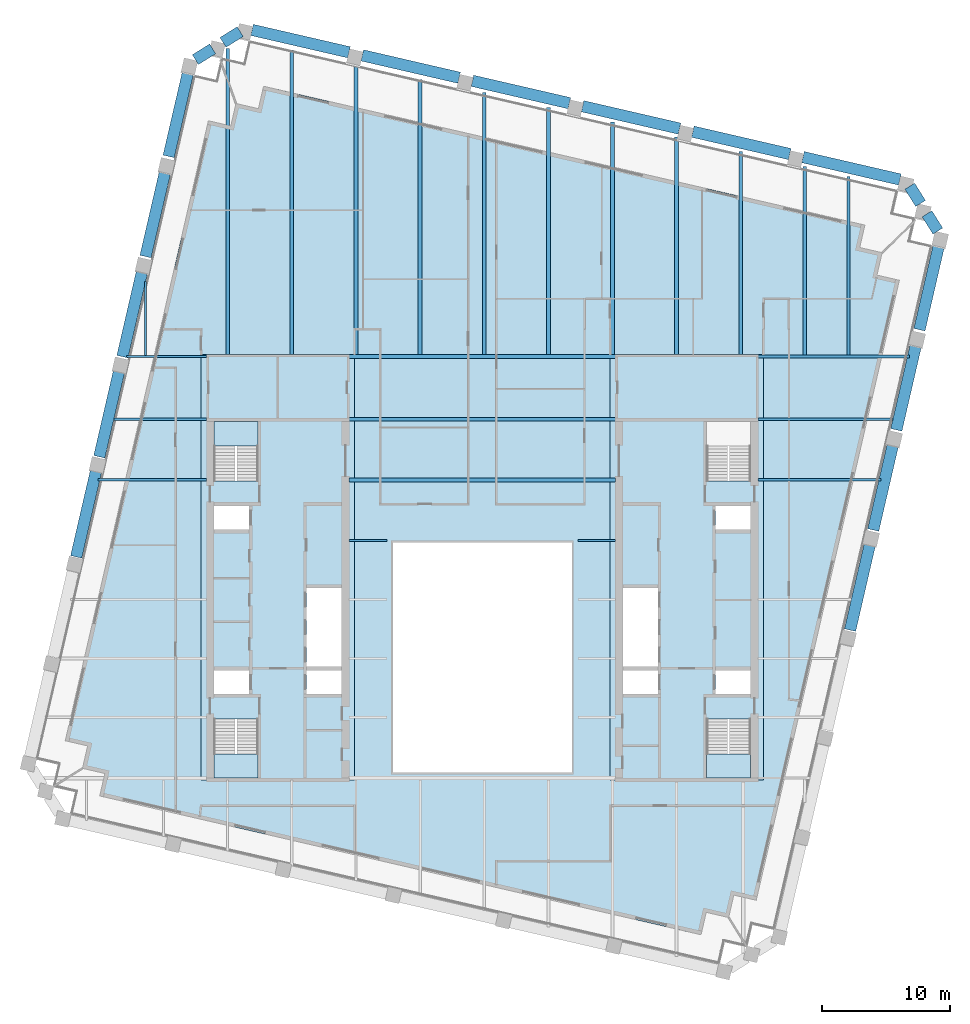
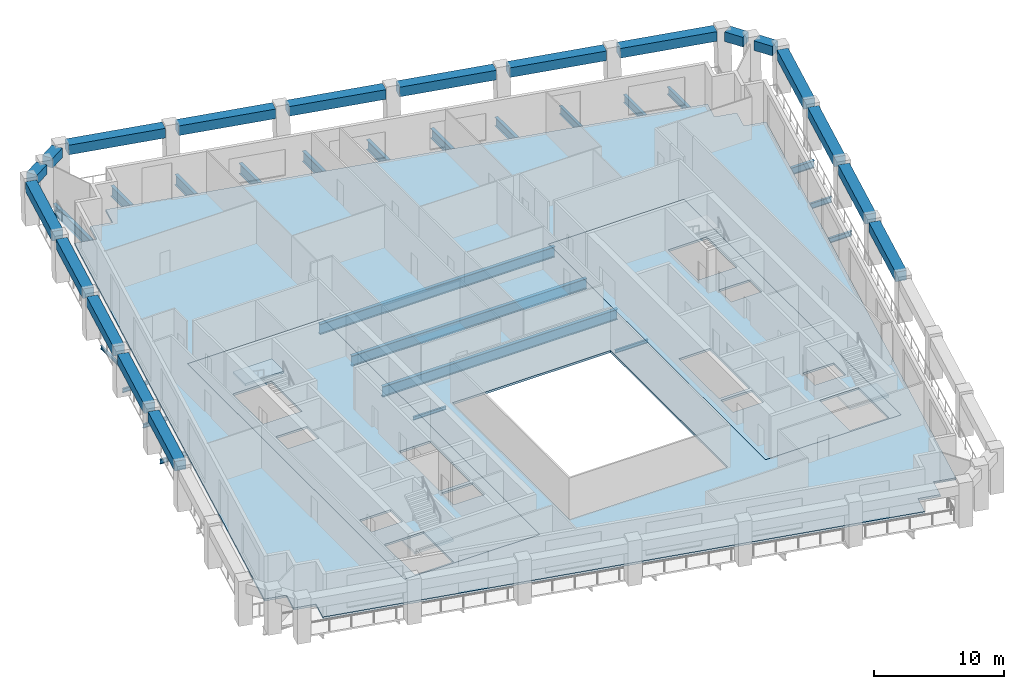
# One storey, part 2 of 10: 42 beams, 6 slabs, 3 elements without a shape of their own.
"""IFC4 building model written with IfcOpenShell, lengths in metres."""

from ifc_helpers import new_model, si_unit, direction, frame, origin, origin_2d, place, context, subcontext, project, spatial, polyline, rectangle, i_section, outline, extrude, material, layer, layer_set, material_profile, profile_set, type_object, element, aggregate, save


model = new_model("IFC4")

# Units and contexts
model_context = context("Model", 3, precision=1e-05, world=origin(), true_north=direction((0.0, 1.0)))
body_context = subcontext(model_context, "Body", "Model", "MODEL_VIEW")
ifc_project = project(units=[si_unit("LENGTHUNIT", "METRE"), si_unit("AREAUNIT", "SQUARE_METRE"), si_unit("VOLUMEUNIT", "CUBIC_METRE"), si_unit("PLANEANGLEUNIT", "RADIAN"), si_unit("MASSUNIT", "GRAM", prefix="KILO")], contexts=[model_context])

# Site, building, storey
site_placement = place(None, origin())
site = spatial("IfcSite", under=ifc_project, at=site_placement, CompositionType="ELEMENT")
building_placement = place(site_placement, origin())
building = spatial("IfcBuilding", under=site, at=building_placement, Name="Ogive Exchange Tower", CompositionType="ELEMENT")
storey_placement = place(building_placement, frame((0.0, 0.0, 251.39990234375)))
storey = spatial("IfcBuildingStorey", under=building, at=storey_placement, Name="L54", CompositionType="ELEMENT", Elevation=251.39990234375)

# Beams
ifc_material_1 = material(Name="Steel ASTM A992 Gr50", Category="steel")
ifc_material_profile_1 = material_profile(ifc_material_1, i_section(OverallWidth=0.300048828125, OverallDepth=0.97998046875, WebThickness=0.0166015625, FlangeThickness=0.026123046875, at=origin_2d()), Name="W1000x249")
ifc_profile_set_1 = profile_set([ifc_material_profile_1], Name="Steel ASTM A992 Gr50")
beam_type_1 = type_object("IfcBeamType", Name="Floor beam W1000x249", PredefinedType="JOIST", material=ifc_profile_set_1)
for number, where, z_axis, x_axis, name in (
    (1, (-10.419921875, 20.89990234375, -0.68994140625), (1.0, 0.0, 0.0), (0.0, 1.0, 0.0), "Floor beam"),
    (2, (-10.419921875, 25.64501953125, -0.68994140625), (1.0, 0.0, 0.0), (0.0, 1.0, 0.0), "Floor beam"),
):
    element("IfcBeam", number, at=place(storey_placement, frame(where, z_axis=z_axis, x_axis=x_axis)), inside=storey, type_object=beam_type_1, Name=name, PredefinedType="JOIST", context=body_context, shape_type="SweptSolid", body=[
        extrude(i_section(OverallWidth=0.300048828125, OverallDepth=0.97998046875, WebThickness=0.0166015625, FlangeThickness=0.026123046875, at=origin_2d()), origin(), (0.0, 0.0, 1.0), 20.83984375),
    ])
beam_1_placement = place(storey_placement, frame((-19.9248046875, 30.699951171875, -0.68994140625), z_axis=(0.0, 1.0, 0.0), x_axis=(-1.0, 0.0, 0.0)))
element("IfcBeam", 3, at=beam_1_placement, inside=storey, type_object=beam_type_1, Name="Floor beam", PredefinedType="JOIST", context=body_context, shape_type="SweptSolid", body=[
    extrude(i_section(OverallWidth=0.300048828125, OverallDepth=0.97998046875, WebThickness=0.0166015625, FlangeThickness=0.026123046875, at=origin_2d()), origin(), (0.0, 0.0, 1.0), 23.962646484375),
])
beam_2_placement = place(storey_placement, frame((-14.90673828125, 30.699951171875, -0.68994140625), z_axis=(0.0, 1.0, 0.0), x_axis=(-1.0, 0.0, 0.0)))
element("IfcBeam", 4, at=beam_2_placement, inside=storey, type_object=beam_type_1, Name="Floor beam", PredefinedType="JOIST", context=body_context, shape_type="SweptSolid", body=[
    extrude(i_section(OverallWidth=0.300048828125, OverallDepth=0.97998046875, WebThickness=0.0166015625, FlangeThickness=0.026123046875, at=origin_2d()), origin(), (0.0, 0.0, 1.0), 23.8359375),
])
beam_3_placement = place(storey_placement, frame((-9.888916015625, 30.695068359375, -0.68994140625), z_axis=(0.0, 1.0, 0.0), x_axis=(-1.0, 0.0, 0.0)))
element("IfcBeam", 5, at=beam_3_placement, inside=storey, type_object=beam_type_1, Name="Floor beam", PredefinedType="JOIST", context=body_context, shape_type="SweptSolid", body=[
    extrude(i_section(OverallWidth=0.300048828125, OverallDepth=0.97998046875, WebThickness=0.0166015625, FlangeThickness=0.026123046875, at=origin_2d()), origin(), (0.0, 0.0, 1.0), 22.682373046875),
])
beam_4_placement = place(storey_placement, frame((-4.870849609375, 30.695068359375, -0.68994140625), z_axis=(0.0, 1.0, 0.0), x_axis=(-1.0, 0.0, 0.0)))
element("IfcBeam", 6, at=beam_4_placement, inside=storey, type_object=beam_type_1, Name="Floor beam", PredefinedType="JOIST", context=body_context, shape_type="SweptSolid", body=[
    extrude(i_section(OverallWidth=0.300048828125, OverallDepth=0.97998046875, WebThickness=0.0166015625, FlangeThickness=0.026123046875, at=origin_2d()), origin(), (0.0, 0.0, 1.0), 21.52392578125),
])
beam_5_placement = place(storey_placement, frame((0.147216796875, 30.695068359375, -0.68994140625), z_axis=(0.0, 1.0, 0.0), x_axis=(-1.0, 0.0, 0.0)))
element("IfcBeam", 7, at=beam_5_placement, inside=storey, type_object=beam_type_1, Name="Floor beam", PredefinedType="JOIST", context=body_context, shape_type="SweptSolid", body=[
    extrude(i_section(OverallWidth=0.300048828125, OverallDepth=0.97998046875, WebThickness=0.0166015625, FlangeThickness=0.026123046875, at=origin_2d()), origin(), (0.0, 0.0, 1.0), 20.515380859375),
])
ifc_material_profile_2 = material_profile(ifc_material_1, i_section(OverallWidth=0.1650390625, OverallDepth=0.31005859375, WebThickness=0.005859375, FlangeThickness=0.009765625, at=origin_2d()), Name="W310x38.7")
ifc_profile_set_2 = profile_set([ifc_material_profile_2], Name="Steel ASTM A992 Gr50")
beam_type_2 = type_object("IfcBeamType", Name="Floor beam W310x38.7", PredefinedType="JOIST", material=ifc_profile_set_2)
beam_6_placement = place(storey_placement, frame((-26.3427734375, 30.630615234375, -0.35498046875), z_axis=(0.0, 1.0, 0.0), x_axis=(-1.0, 0.0, 0.0)))
element("IfcBeam", 8, at=beam_6_placement, inside=storey, type_object=beam_type_2, Name="Floor beam", PredefinedType="JOIST", context=body_context, shape_type="SweptSolid", body=[
    extrude(i_section(OverallWidth=0.1650390625, OverallDepth=0.31005859375, WebThickness=0.005859375, FlangeThickness=0.009765625, at=origin_2d()), origin(), (0.0, 0.0, 1.0), 5.79541015625),
])
ifc_material_profile_3 = material_profile(ifc_material_1, i_section(OverallWidth=0.1708984375, OverallDepth=0.35595703125, WebThickness=0.00732421875, FlangeThickness=0.01171875, at=origin_2d()), Name="W360x51")
ifc_profile_set_3 = profile_set([ifc_material_profile_3], Name="Steel ASTM A992 Gr50")
beam_type_3 = type_object("IfcBeamType", Name="Floor beam W360x51", PredefinedType="JOIST", material=ifc_profile_set_3)
beam_7_placement = place(storey_placement, frame((-28.831787109375, 25.64501953125, -0.3779296875), z_axis=(1.0, 0.0, 0.0), x_axis=(0.0, 1.0, 0.0)))
element("IfcBeam", 9, at=beam_7_placement, inside=storey, type_object=beam_type_3, Name="Floor beam", PredefinedType="JOIST", context=body_context, shape_type="SweptSolid", body=[
    extrude(i_section(OverallWidth=0.1708984375, OverallDepth=0.35595703125, WebThickness=0.00732421875, FlangeThickness=0.01171875, at=origin_2d()), origin(), (0.0, 0.0, 1.0), 7.251708984375),
])
ifc_material_profile_4 = material_profile(ifc_material_1, i_section(OverallWidth=0.177978515625, OverallDepth=0.406005859375, WebThickness=0.0078125, FlangeThickness=0.0126953125, at=origin_2d()), Name="W410x60")
ifc_profile_set_4 = profile_set([ifc_material_profile_4], Name="Steel ASTM A992 Gr50")
beam_type_4 = type_object("IfcBeamType", Name="Floor beam W410x60", PredefinedType="JOIST", material=ifc_profile_set_4)
beam_8_placement = place(storey_placement, frame((-30.0771484375, 20.89990234375, -0.40283203125), z_axis=(1.0, 0.0, 0.0), x_axis=(0.0, 1.0, 0.0)))
element("IfcBeam", 10, at=beam_8_placement, inside=storey, type_object=beam_type_4, Name="Floor beam", PredefinedType="JOIST", context=body_context, shape_type="SweptSolid", body=[
    extrude(i_section(OverallWidth=0.177978515625, OverallDepth=0.406005859375, WebThickness=0.0078125, FlangeThickness=0.0126953125, at=origin_2d()), origin(), (0.0, 0.0, 1.0), 8.4970703125),
])
ifc_material_profile_5 = material_profile(ifc_material_1, i_section(OverallWidth=0.19189453125, OverallDepth=0.4619140625, WebThickness=0.010498046875, FlangeThickness=0.017578125, at=origin_2d()), Name="W460x89")
ifc_profile_set_5 = profile_set([ifc_material_profile_5], Name="Steel ASTM A992 Gr50")
beam_type_5 = type_object("IfcBeamType", Name="Floor beam W460x89", PredefinedType="JOIST", material=ifc_profile_set_5)
beam_9_placement = place(storey_placement, frame((21.580078125, 20.89990234375, -0.430908203125), z_axis=(1.0, 0.0, 0.0), x_axis=(0.0, 1.0, 0.0)))
element("IfcBeam", 11, at=beam_9_placement, inside=storey, type_object=beam_type_5, Name="Floor beam", PredefinedType="JOIST", context=body_context, shape_type="SweptSolid", body=[
    extrude(i_section(OverallWidth=0.19189453125, OverallDepth=0.4619140625, WebThickness=0.010498046875, FlangeThickness=0.017578125, at=origin_2d()), origin(), (0.0, 0.0, 1.0), 9.605224609375),
])
ifc_material_profile_6 = material_profile(ifc_material_1, i_section(OverallWidth=0.1669921875, OverallDepth=0.535888671875, WebThickness=0.01025390625, FlangeThickness=0.0166015625, at=origin_2d()), Name="W530x85")
ifc_profile_set_6 = profile_set([ifc_material_profile_6], Name="Steel ASTM A992 Gr50")
beam_type_6 = type_object("IfcBeamType", Name="Floor beam W530x85", PredefinedType="JOIST", material=ifc_profile_set_6)
beam_10_placement = place(storey_placement, frame((21.580078125, 25.64501953125, -0.468017578125), z_axis=(1.0, 0.0, 0.0), x_axis=(0.0, 1.0, 0.0)))
element("IfcBeam", 12, at=beam_10_placement, inside=storey, type_object=beam_type_6, Name="Floor beam", PredefinedType="JOIST", context=body_context, shape_type="SweptSolid", body=[
    extrude(i_section(OverallWidth=0.1669921875, OverallDepth=0.535888671875, WebThickness=0.01025390625, FlangeThickness=0.0166015625, at=origin_2d()), origin(), (0.0, 0.0, 1.0), 10.55078125),
])
ifc_material_profile_7 = material_profile(ifc_material_1, i_section(OverallWidth=0.25390625, OverallDepth=0.677978515625, WebThickness=0.01171875, FlangeThickness=0.016357421875, at=origin_2d()), Name="W690x125")
ifc_profile_set_7 = profile_set([ifc_material_profile_7], Name="Steel ASTM A992 Gr50")
beam_type_7 = type_object("IfcBeamType", Name="Floor beam W690x125", PredefinedType="JOIST", material=ifc_profile_set_7)
beam_11_placement = place(storey_placement, frame((28.6552734375, 30.672119140625, -0.538818359375), z_axis=(0.0, 1.0, 0.0), x_axis=(-1.0, 0.0, 0.0)))
element("IfcBeam", 13, at=beam_11_placement, inside=storey, type_object=beam_type_7, Name="Floor beam", PredefinedType="JOIST", context=body_context, shape_type="SweptSolid", body=[
    extrude(i_section(OverallWidth=0.25390625, OverallDepth=0.677978515625, WebThickness=0.01171875, FlangeThickness=0.016357421875, at=origin_2d()), origin(), (0.0, 0.0, 1.0), 13.956787109375),
])
ifc_material_profile_8 = material_profile(ifc_material_1, i_section(OverallWidth=0.26708984375, OverallDepth=0.75390625, WebThickness=0.01318359375, FlangeThickness=0.01708984375, at=origin_2d()), Name="W760x147")
ifc_profile_set_8 = profile_set([ifc_material_profile_8], Name="Steel ASTM A992 Gr50")
beam_type_8 = type_object("IfcBeamType", Name="Floor beam W760x147", PredefinedType="JOIST", material=ifc_profile_set_8)
beam_12_placement = place(storey_placement, frame((25.2373046875, 30.672119140625, -0.576904296875), z_axis=(0.0, 1.0, 0.0), x_axis=(-1.0, 0.0, 0.0)))
element("IfcBeam", 14, at=beam_12_placement, inside=storey, type_object=beam_type_8, Name="Floor beam", PredefinedType="JOIST", context=body_context, shape_type="SweptSolid", body=[
    extrude(i_section(OverallWidth=0.26708984375, OverallDepth=0.75390625, WebThickness=0.01318359375, FlangeThickness=0.01708984375, at=origin_2d()), origin(), (0.0, 0.0, 1.0), 14.745849609375),
])
ifc_material_profile_9 = material_profile(ifc_material_1, i_section(OverallWidth=0.26708984375, OverallDepth=0.761962890625, WebThickness=0.014404296875, FlangeThickness=0.021484375, at=origin_2d()), Name="W760x173")
ifc_profile_set_9 = profile_set([ifc_material_profile_9], Name="Steel ASTM A992 Gr50")
beam_type_9 = type_object("IfcBeamType", Name="Floor beam W760x173", PredefinedType="JOIST", material=ifc_profile_set_9)
beam_13_placement = place(storey_placement, frame((20.21923828125, 30.699951171875, -0.580810546875), z_axis=(0.0, 1.0, 0.0), x_axis=(-1.0, 0.0, 0.0)))
element("IfcBeam", 15, at=beam_13_placement, inside=storey, type_object=beam_type_9, Name="Floor beam", PredefinedType="JOIST", context=body_context, shape_type="SweptSolid", body=[
    extrude(i_section(OverallWidth=0.26708984375, OverallDepth=0.761962890625, WebThickness=0.014404296875, FlangeThickness=0.021484375, at=origin_2d()), origin(), (0.0, 0.0, 1.0), 15.87646484375),
])
ifc_material_profile_10 = material_profile(ifc_material_1, i_section(OverallWidth=0.2919921875, OverallDepth=0.8359375, WebThickness=0.013916015625, FlangeThickness=0.018798828125, at=origin_2d()), Name="W840x176")
ifc_profile_set_10 = profile_set([ifc_material_profile_10], Name="Steel ASTM A992 Gr50")
beam_type_10 = type_object("IfcBeamType", Name="Floor beam W840x176", PredefinedType="JOIST", material=ifc_profile_set_10)
beam_14_placement = place(storey_placement, frame((15.201171875, 30.699951171875, -0.617919921875), z_axis=(0.0, 1.0, 0.0), x_axis=(-1.0, 0.0, 0.0)))
element("IfcBeam", 16, at=beam_14_placement, inside=storey, type_object=beam_type_10, Name="Floor beam", PredefinedType="JOIST", context=body_context, shape_type="SweptSolid", body=[
    extrude(i_section(OverallWidth=0.2919921875, OverallDepth=0.8359375, WebThickness=0.013916015625, FlangeThickness=0.018798828125, at=origin_2d()), origin(), (0.0, 0.0, 1.0), 17.03515625),
])
ifc_material_profile_11 = material_profile(ifc_material_1, i_section(OverallWidth=0.304931640625, OverallDepth=0.904052734375, WebThickness=0.01513671875, FlangeThickness=0.02001953125, at=origin_2d()), Name="W920x201")
ifc_profile_set_11 = profile_set([ifc_material_profile_11], Name="Steel ASTM A992 Gr50")
beam_type_11 = type_object("IfcBeamType", Name="Floor beam W920x201", PredefinedType="JOIST", material=ifc_profile_set_11)
beam_15_placement = place(storey_placement, frame((10.18310546875, 30.695068359375, -0.65185546875), z_axis=(0.0, 1.0, 0.0), x_axis=(-1.0, 0.0, 0.0)))
element("IfcBeam", 17, at=beam_15_placement, inside=storey, type_object=beam_type_11, Name="Floor beam", PredefinedType="JOIST", context=body_context, shape_type="SweptSolid", body=[
    extrude(i_section(OverallWidth=0.304931640625, OverallDepth=0.904052734375, WebThickness=0.01513671875, FlangeThickness=0.02001953125, at=origin_2d()), origin(), (0.0, 0.0, 1.0), 18.198486328125),
])
ifc_material_profile_12 = material_profile(ifc_material_1, i_section(OverallWidth=0.306884765625, OverallDepth=0.927001953125, WebThickness=0.019287109375, FlangeThickness=0.031982421875, at=origin_2d()), Name="W920x289")
ifc_profile_set_12 = profile_set([ifc_material_profile_12], Name="Steel ASTM A992 Gr50")
beam_type_12 = type_object("IfcBeamType", Name="Floor beam W920x289", PredefinedType="JOIST", material=ifc_profile_set_12)
beam_16_placement = place(storey_placement, frame((5.165283203125, 30.695068359375, -0.663330078125), z_axis=(0.0, 1.0, 0.0), x_axis=(-1.0, 0.0, 0.0)))
element("IfcBeam", 18, at=beam_16_placement, inside=storey, type_object=beam_type_12, Name="Floor beam", PredefinedType="JOIST", context=body_context, shape_type="SweptSolid", body=[
    extrude(i_section(OverallWidth=0.306884765625, OverallDepth=0.927001953125, WebThickness=0.019287109375, FlangeThickness=0.031982421875, at=origin_2d()), origin(), (0.0, 0.0, 1.0), 19.35693359375),
])
ifc_material_profile_13 = material_profile(ifc_material_1, i_section(OverallWidth=0.300048828125, OverallDepth=0.97998046875, WebThickness=0.0166015625, FlangeThickness=0.026123046875, at=origin_2d()), Name="W1000x249")
ifc_profile_set_13 = profile_set([ifc_material_profile_13], Name="Steel ASTM A992 Gr50")
beam_type_13 = type_object("IfcBeamType", Name="Girder W1000x249", PredefinedType="BEAM", material=ifc_profile_set_13)
beam_17_placement = place(storey_placement, frame((-10.419921875, 30.544921875, -0.68994140625), z_axis=(1.0, 0.0, 0.0), x_axis=(0.0, 1.0, 0.0)))
element("IfcBeam", 19, at=beam_17_placement, inside=storey, type_object=beam_type_13, Name="Header girder", PredefinedType="BEAM", context=body_context, shape_type="SweptSolid", body=[
    extrude(i_section(OverallWidth=0.300048828125, OverallDepth=0.97998046875, WebThickness=0.0166015625, FlangeThickness=0.026123046875, at=origin_2d()), origin(), (0.0, 0.0, 1.0), 20.83984375),
])
ifc_material_profile_14 = material_profile(ifc_material_1, i_section(OverallWidth=0.1650390625, OverallDepth=0.31005859375, WebThickness=0.005859375, FlangeThickness=0.009765625, at=origin_2d()), Name="W310x38.7")
ifc_profile_set_14 = profile_set([ifc_material_profile_14], Name="Steel ASTM A992 Gr50")
beam_type_14 = type_object("IfcBeamType", Name="Girder W310x38.7", PredefinedType="BEAM", material=ifc_profile_set_14)
for number, where, z_axis, x_axis, name in (
    (20, (-10.419921875, 16.155029296875, -0.35498046875), (1.0, 0.0, 0.0), (0.0, 1.0, 0.0), "Trimmer girder"),
    (21, (7.469970703125, 16.155029296875, -0.35498046875), (1.0, 0.0, 0.0), (0.0, 1.0, 0.0), "Trimmer girder"),
):
    element("IfcBeam", number, at=place(storey_placement, frame(where, z_axis=z_axis, x_axis=x_axis)), inside=storey, type_object=beam_type_14, Name=name, PredefinedType="BEAM", context=body_context, shape_type="SweptSolid", body=[
        extrude(i_section(OverallWidth=0.1650390625, OverallDepth=0.31005859375, WebThickness=0.005859375, FlangeThickness=0.009765625, at=origin_2d()), origin(), (0.0, 0.0, 1.0), 2.949951171875),
    ])
ifc_material_profile_15 = material_profile(ifc_material_1, i_section(OverallWidth=0.1708984375, OverallDepth=0.35595703125, WebThickness=0.00732421875, FlangeThickness=0.01171875, at=origin_2d()), Name="W360x51")
ifc_profile_set_15 = profile_set([ifc_material_profile_15], Name="Steel ASTM A992 Gr50")
beam_type_15 = type_object("IfcBeamType", Name="Girder W360x51", PredefinedType="BEAM", material=ifc_profile_set_15)
beam_18_placement = place(storey_placement, frame((-27.850341796875, 30.544921875, -0.3779296875), z_axis=(1.0, 0.0, 0.0), x_axis=(0.0, 1.0, 0.0)))
element("IfcBeam", 22, at=beam_18_placement, inside=storey, type_object=beam_type_15, Name="Header girder", PredefinedType="BEAM", context=body_context, shape_type="SweptSolid", body=[
    extrude(i_section(OverallWidth=0.1708984375, OverallDepth=0.35595703125, WebThickness=0.00732421875, FlangeThickness=0.01171875, at=origin_2d()), origin(), (0.0, 0.0, 1.0), 6.270263671875),
])
ifc_material_profile_16 = material_profile(ifc_material_1, i_section(OverallWidth=0.25390625, OverallDepth=0.677978515625, WebThickness=0.01171875, FlangeThickness=0.016357421875, at=origin_2d()), Name="W690x125")
ifc_profile_set_16 = profile_set([ifc_material_profile_16], Name="Steel ASTM A992 Gr50")
beam_type_16 = type_object("IfcBeamType", Name="Girder W690x125", PredefinedType="BEAM", material=ifc_profile_set_16)
beam_19_placement = place(storey_placement, frame((21.580078125, 30.544921875, -0.538818359375), z_axis=(1.0, 0.0, 0.0), x_axis=(0.0, 1.0, 0.0)))
element("IfcBeam", 23, at=beam_19_placement, inside=storey, type_object=beam_type_16, Name="Header girder", PredefinedType="BEAM", context=body_context, shape_type="SweptSolid", body=[
    extrude(i_section(OverallWidth=0.25390625, OverallDepth=0.677978515625, WebThickness=0.01171875, FlangeThickness=0.016357421875, at=origin_2d()), origin(), (0.0, 0.0, 1.0), 11.83203125),
])
ifc_material_2 = material(Name="Precast concrete C70/85 (limestone faced)", Category="masonry")
ifc_material_profile_17 = material_profile(ifc_material_2, rectangle(XDim=0.89990234375, YDim=0.89990234375, at=origin_2d()), Name="900 x 900")
ifc_profile_set_17 = profile_set([ifc_material_profile_17], Name="Precast concrete C70/85 (limestone faced)")
beam_type_17 = type_object("IfcBeamType", Name="Precast spandrel 900 x 900 C70/85", PredefinedType="SPANDREL", material=ifc_profile_set_17)
for number, where, z_axis, x_axis, name in (
    (24, (28.7822265625, 9.14013671875, 3.5), (0.224953999861, 0.974369384754, 0.0), (-0.974369384754, 0.224953999861, 0.0), "Spandrel 12"),
    (25, (30.591064453125, 16.9755859375, 3.5), (0.224953999861, 0.974369384754, 0.0), (-0.974369384754, 0.224953999861, 0.0), "Spandrel 13"),
    (26, (32.400146484375, 24.81103515625, 3.5), (0.224953999861, 0.974369384754, 0.0), (-0.974369384754, 0.224953999861, 0.0), "Spandrel 14"),
    (27, (34.208984375, 32.646484375, 3.5), (0.224953999861, 0.974369384754, 0.0), (-0.974369384754, 0.224953999861, 0.0), "Spandrel 15"),
):
    element("IfcBeam", number, at=place(storey_placement, frame(where, z_axis=z_axis, x_axis=x_axis)), inside=storey, type_object=beam_type_17, Name=name, PredefinedType="SPANDREL", context=body_context, shape_type="SweptSolid", body=[
        extrude(rectangle(XDim=0.89990234375, YDim=0.89990234375, at=origin_2d()), origin(), (0.0, 0.0, 1.0), 6.981689453125),
    ])
for number, where, z_axis, x_axis, name in (
    (28, (35.6455078125, 40.370849609375, 3.5), (-0.529902320601, 0.848058683477, 0.0), (-0.848058683477, -0.529902320601, 0.0), "Spandrel 16"),
    (29, (34.296630859375, 42.529541015625, 3.5), (-0.529902320601, 0.848058683477, 0.0), (-0.848058683477, -0.529902320601, 0.0), "Spandrel 17"),
):
    element("IfcBeam", number, at=place(storey_placement, frame(where, z_axis=z_axis, x_axis=x_axis)), inside=storey, type_object=beam_type_17, Name=name, PredefinedType="SPANDREL", context=body_context, shape_type="SweptSolid", body=[
        extrude(rectangle(XDim=0.89990234375, YDim=0.89990234375, at=origin_2d()), origin(), (0.0, 0.0, 1.0), 1.590087890625),
    ])
beam_20_placement = place(storey_placement, frame((32.6845703125, 44.40234375, 3.5), z_axis=(-0.974369535382, 0.224953347431, 0.0), x_axis=(-0.224953347431, -0.974369535382, 0.0)))
element("IfcBeam", 30, at=beam_20_placement, inside=storey, type_object=beam_type_17, Name="Spandrel 18", PredefinedType="SPANDREL", context=body_context, shape_type="SweptSolid", body=[
    extrude(rectangle(XDim=0.89990234375, YDim=0.89990234375, at=origin_2d()), origin(), (0.0, 0.0, 1.0), 7.790283203125),
])
beam_21_placement = place(storey_placement, frame((24.061279296875, 46.393310546875, 3.5), z_axis=(-0.974374818602, 0.224930462307, 0.0), x_axis=(-0.224930462307, -0.974374818602, 0.0)))
element("IfcBeam", 31, at=beam_21_placement, inside=storey, type_object=beam_type_17, Name="Spandrel 19", PredefinedType="SPANDREL", context=body_context, shape_type="SweptSolid", body=[
    extrude(rectangle(XDim=0.89990234375, YDim=0.89990234375, at=origin_2d()), origin(), (0.0, 0.0, 1.0), 7.7900390625),
])
beam_22_placement = place(storey_placement, frame((15.43798828125, 48.384033203125, 3.5), z_axis=(-0.974366363305, 0.224967086616, 0.0), x_axis=(-0.224967086616, -0.974366363305, 0.0)))
element("IfcBeam", 32, at=beam_22_placement, inside=storey, type_object=beam_type_17, Name="Spandrel 20", PredefinedType="SPANDREL", context=body_context, shape_type="SweptSolid", body=[
    extrude(rectangle(XDim=0.89990234375, YDim=0.89990234375, at=origin_2d()), origin(), (0.0, 0.0, 1.0), 7.789794921875),
])
beam_23_placement = place(storey_placement, frame((6.81494140625, 50.374755859375, 3.5), z_axis=(-0.974367949416, 0.224960216819, 0.0), x_axis=(-0.224960216819, -0.974367949416, 0.0)))
element("IfcBeam", 33, at=beam_23_placement, inside=storey, type_object=beam_type_17, Name="Spandrel 21", PredefinedType="SPANDREL", context=body_context, shape_type="SweptSolid", body=[
    extrude(rectangle(XDim=0.89990234375, YDim=0.89990234375, at=origin_2d()), origin(), (0.0, 0.0, 1.0), 7.7900390625),
])
beam_24_placement = place(storey_placement, frame((-1.80810546875, 52.365478515625, 3.5), z_axis=(-0.974369535382, 0.224953347431, 0.0), x_axis=(-0.224953347431, -0.974369535382, 0.0)))
element("IfcBeam", 34, at=beam_24_placement, inside=storey, type_object=beam_type_17, Name="Spandrel 22", PredefinedType="SPANDREL", context=body_context, shape_type="SweptSolid", body=[
    extrude(rectangle(XDim=0.89990234375, YDim=0.89990234375, at=origin_2d()), origin(), (0.0, 0.0, 1.0), 7.790283203125),
])
beam_25_placement = place(storey_placement, frame((-10.431396484375, 54.3564453125, 3.5), z_axis=(-0.974367949416, 0.224960216819, 0.0), x_axis=(-0.224960216819, -0.974367949416, 0.0)))
element("IfcBeam", 35, at=beam_25_placement, inside=storey, type_object=beam_type_17, Name="Spandrel 23", PredefinedType="SPANDREL", context=body_context, shape_type="SweptSolid", body=[
    extrude(rectangle(XDim=0.89990234375, YDim=0.89990234375, at=origin_2d()), origin(), (0.0, 0.0, 1.0), 7.7900390625),
])
beam_26_placement = place(storey_placement, frame((-18.943359375, 55.974853515625, 3.5), z_axis=(-0.848058683477, -0.529902320601, 0.0), x_axis=(0.529902320601, -0.848058683477, 0.0)))
element("IfcBeam", 36, at=beam_26_placement, inside=storey, type_object=beam_type_17, Name="Spandrel 24", PredefinedType="SPANDREL", context=body_context, shape_type="SweptSolid", body=[
    extrude(rectangle(XDim=0.89990234375, YDim=0.89990234375, at=origin_2d()), origin(), (0.0, 0.0, 1.0), 1.590087890625),
])
beam_27_placement = place(storey_placement, frame((-21.102294921875, 54.6259765625, 3.5), z_axis=(-0.848015558653, -0.529971331567, 0.0), x_axis=(0.529971331567, -0.848015558653, 0.0)))
element("IfcBeam", 37, at=beam_27_placement, inside=storey, type_object=beam_type_17, Name="Spandrel 25", PredefinedType="SPANDREL", context=body_context, shape_type="SweptSolid", body=[
    extrude(rectangle(XDim=0.89990234375, YDim=0.89990234375, at=origin_2d()), origin(), (0.0, 0.0, 1.0), 1.58984375),
])
for number, where, z_axis, x_axis, name in (
    (38, (-22.974853515625, 53.013671875, 3.5), (-0.224961664857, -0.974367615094, 0.0), (0.974367615094, -0.224961664857, 0.0), "Spandrel 26"),
    (39, (-24.783935546875, 45.17822265625, 3.5), (-0.224961664857, -0.974367615094, 0.0), (0.974367615094, -0.224961664857, 0.0), "Spandrel 27"),
    (40, (-26.593017578125, 37.3427734375, 3.5), (-0.224928464269, -0.974375279839, 0.0), (0.974375279839, -0.224928464269, 0.0), "Spandrel 28"),
):
    element("IfcBeam", number, at=place(storey_placement, frame(where, z_axis=z_axis, x_axis=x_axis)), inside=storey, type_object=beam_type_17, Name=name, PredefinedType="SPANDREL", context=body_context, shape_type="SweptSolid", body=[
        extrude(rectangle(XDim=0.89990234375, YDim=0.89990234375, at=origin_2d()), origin(), (0.0, 0.0, 1.0), 6.9814453125),
    ])
beam_28_placement = place(storey_placement, frame((-28.40185546875, 29.50732421875, 3.5), z_axis=(-0.224953999861, -0.974369384754, 0.0), x_axis=(0.974369384754, -0.224953999861, 0.0)))
element("IfcBeam", 41, at=beam_28_placement, inside=storey, type_object=beam_type_17, Name="Spandrel 29", PredefinedType="SPANDREL", context=body_context, shape_type="SweptSolid", body=[
    extrude(rectangle(XDim=0.89990234375, YDim=0.89990234375, at=origin_2d()), origin(), (0.0, 0.0, 1.0), 6.981689453125),
])
beam_29_placement = place(storey_placement, frame((-30.210693359375, 21.671875, 3.5), z_axis=(-0.224961664857, -0.974367615094, 0.0), x_axis=(0.974367615094, -0.224961664857, 0.0)))
element("IfcBeam", 42, at=beam_29_placement, inside=storey, type_object=beam_type_17, Name="Spandrel 30", PredefinedType="SPANDREL", context=body_context, shape_type="SweptSolid", body=[
    extrude(rectangle(XDim=0.89990234375, YDim=0.89990234375, at=origin_2d()), origin(), (0.0, 0.0, 1.0), 6.9814453125),
])

# Slabs
ifc_material_3 = material(Name="Concrete C50/60", Category="concrete")
ifc_layer_1 = layer(ifc_material_3, 0.199951171875)
ifc_layer_set_1 = layer_set([ifc_layer_1], Name="Composite floor slab 200")
slab_type_1 = type_object("IfcSlabType", Name="Composite floor slab 200", PredefinedType="FLOOR", material=ifc_layer_set_1)
slab_1_placement = place(storey_placement, frame((0.0, 0.0, -0.199951171875)))
element("IfcSlab", 43, at=slab_1_placement, inside=storey, type_object=slab_type_1, Name="Composite floor slab", PredefinedType="FLOOR", context=body_context, shape_type="SweptSolid", body=[
    extrude(outline(polyline([(-29.537109375, -2.0830078125), (-31.291015625, -1.67822265625), (-30.88623046875, 0.07568359375), (-32.64013671875, 0.480712890625), (-21.4375, 49.004150390625), (-19.68359375, 48.599365234375), (-19.27880859375, 50.353271484375), (-17.52490234375, 49.9482421875), (-17.119873046875, 51.7021484375), (29.942138671875, 40.8369140625), (29.537109375, 39.0830078125), (31.291015625, 38.67822265625), (30.88623046875, 36.92431640625), (32.64013671875, 36.519287109375), (21.4375, -12.004150390625), (19.68359375, -11.599365234375), (19.27880859375, -13.353271484375), (17.52490234375, -12.9482421875), (17.119873046875, -14.7021484375), (-29.942138671875, -3.8369140625), (-29.537109375, -2.0830078125)]), holes=[polyline([(7.0, -2.0), (7.0, 16.0), (-7.0, 16.0), (-7.0, -2.0), (7.0, -2.0)]), polyline([(-22.0, -2.60009765625), (-10.0, -2.60009765625), (-10.0, 30.699951171875), (-22.0, 30.699951171875), (-22.0, -2.60009765625)]), polyline([(10.0, -2.60009765625), (22.0, -2.60009765625), (22.0, 30.699951171875), (10.0, 30.699951171875), (10.0, -2.60009765625)])]), origin(), (0.0, 0.0, 1.0), 0.199951171875),
])
ifc_material_4 = material(Name="Concrete C70/85", Category="concrete")
ifc_layer_2 = layer(ifc_material_4, 0.199951171875)
ifc_layer_set_2 = layer_set([ifc_layer_2], Name="Core floor slab 200")
slab_type_2 = type_object("IfcSlabType", Name="Core floor slab 200", PredefinedType="FLOOR", material=ifc_layer_set_2)
slab_2_placement = place(storey_placement, frame((0.0, 0.0, -0.199951171875)))
element("IfcSlab", 44, at=slab_2_placement, inside=storey, type_object=slab_type_2, Name="Core floor slab", PredefinedType="FLOOR", context=body_context, shape_type="SweptSolid", body=[
    extrude(outline(polyline([(-22.0, -2.60009765625), (-22.0, 30.699951171875), (-10.0, 30.699951171875), (-10.0, -2.60009765625), (-22.0, -2.60009765625)]), holes=[polyline([(-17.550048828125, 2.196044921875), (-21.0, 2.196044921875), (-21.0, -2.449951171875), (-17.550048828125, -2.449951171875), (-17.550048828125, 2.196044921875)]), polyline([(-18.25, 5.992919921875), (-21.0, 5.992919921875), (-21.0, 4.14990234375), (-18.25, 4.14990234375), (-18.25, 5.992919921875)]), polyline([(-11.0, 5.992919921875), (-13.75, 5.992919921875), (-13.75, 4.14990234375), (-11.0, 4.14990234375), (-11.0, 5.992919921875)]), polyline([(-13.75, 12.42138671875), (-13.75, 6.29296875), (-11.0, 6.29296875), (-11.0, 12.42138671875), (-13.75, 12.42138671875)]), polyline([(-18.25, 18.85009765625), (-21.0, 18.85009765625), (-21.0, 17.007080078125), (-18.25, 17.007080078125), (-18.25, 18.85009765625)]), polyline([(-21.0, 25.449951171875), (-21.0, 20.803955078125), (-17.550048828125, 20.803955078125), (-17.550048828125, 25.449951171875), (-21.0, 25.449951171875)])]), origin(), (0.0, 0.0, 1.0), 0.199951171875),
])
slab_3_placement = place(storey_placement, frame((0.0, 0.0, -0.199951171875)))
element("IfcSlab", 45, at=slab_3_placement, inside=storey, type_object=slab_type_2, Name="Core floor slab", PredefinedType="FLOOR", context=body_context, shape_type="SweptSolid", body=[
    extrude(outline(polyline([(10.0, -2.60009765625), (10.0, 30.699951171875), (22.0, 30.699951171875), (22.0, -2.60009765625), (10.0, -2.60009765625)]), holes=[polyline([(21.0, 2.196044921875), (17.550048828125, 2.196044921875), (17.550048828125, -2.449951171875), (21.0, -2.449951171875), (21.0, 2.196044921875)]), polyline([(13.75, 5.992919921875), (11.0, 5.992919921875), (11.0, 4.14990234375), (13.75, 4.14990234375), (13.75, 5.992919921875)]), polyline([(21.0, 5.992919921875), (18.25, 5.992919921875), (18.25, 4.14990234375), (21.0, 4.14990234375), (21.0, 5.992919921875)]), polyline([(11.0, 12.42138671875), (11.0, 6.29296875), (13.75, 6.29296875), (13.75, 12.42138671875), (11.0, 12.42138671875)]), polyline([(21.0, 18.85009765625), (18.25, 18.85009765625), (18.25, 17.007080078125), (21.0, 17.007080078125), (21.0, 18.85009765625)]), polyline([(17.550048828125, 25.449951171875), (17.550048828125, 20.803955078125), (21.0, 20.803955078125), (21.0, 25.449951171875), (17.550048828125, 25.449951171875)])]), origin(), (0.0, 0.0, 1.0), 0.199951171875),
])

# Stair, slab
ifc_material_5 = material(Name="Concrete C40/50", Category="concrete")
stair_type = type_object("IfcStairType", Name="Exit stair 1650 wide", PredefinedType="HALF_TURN_STAIR", material=ifc_material_5)
stair_1_placement = place(storey_placement, origin())
stair_1 = element("IfcStair", 46, at=stair_1_placement, inside=storey, type_object=stair_type, Name="L54 exit stair ST1", PredefinedType="HALF_TURN_STAIR")
ifc_layer_3 = layer(ifc_material_5, 0.199951171875)
ifc_layer_set_3 = layer_set([ifc_layer_3], Name="Stair landing 200 slab")
slab_type_3 = type_object("IfcSlabType", Name="Stair landing 200 slab", PredefinedType="LANDING", material=ifc_layer_set_3)
slab_4_placement = place(storey_placement, frame((0.0, 0.0, 1.900146484375)))
slab_4 = element("IfcSlab", 47, at=slab_4_placement, type_object=slab_type_3, Name="ST1 landing 1", PredefinedType="LANDING", context=body_context, shape_type="SweptSolid", body=[
    extrude(outline(polyline([(-21.0, -0.550048828125), (-21.0, -2.449951171875), (-17.550048828125, -2.449951171875), (-17.550048828125, -0.550048828125), (-21.0, -0.550048828125)])), origin(), (0.0, 0.0, 1.0), 0.199951171875),
])
aggregate(stair_1, [slab_4])

stair_2_placement = place(storey_placement, origin())
stair_2 = element("IfcStair", 48, at=stair_2_placement, inside=storey, type_object=stair_type, Name="L54 exit stair ST2", PredefinedType="HALF_TURN_STAIR")
slab_5_placement = place(storey_placement, frame((0.0, 0.0, 1.900146484375)))
slab_5 = element("IfcSlab", 49, at=slab_5_placement, type_object=slab_type_3, Name="ST2 landing 1", PredefinedType="LANDING", context=body_context, shape_type="SweptSolid", body=[
    extrude(outline(polyline([(-17.550048828125, 23.550048828125), (-17.550048828125, 25.449951171875), (-21.0, 25.449951171875), (-21.0, 23.550048828125), (-17.550048828125, 23.550048828125)])), origin(), (0.0, 0.0, 1.0), 0.199951171875),
])
aggregate(stair_2, [slab_5])

stair_3_placement = place(storey_placement, origin())
stair_3 = element("IfcStair", 50, at=stair_3_placement, inside=storey, type_object=stair_type, Name="L54 exit stair ST3", PredefinedType="HALF_TURN_STAIR")
slab_6_placement = place(storey_placement, frame((0.0, 0.0, 1.900146484375)))
slab_6 = element("IfcSlab", 51, at=slab_6_placement, type_object=slab_type_3, Name="ST3 landing 1", PredefinedType="LANDING", context=body_context, shape_type="SweptSolid", body=[
    extrude(outline(polyline([(17.550048828125, -0.550048828125), (17.550048828125, -2.449951171875), (21.0, -2.449951171875), (21.0, -0.550048828125), (17.550048828125, -0.550048828125)])), origin(), (0.0, 0.0, 1.0), 0.199951171875),
])
aggregate(stair_3, [slab_6])

save(model, "model.ifc")
